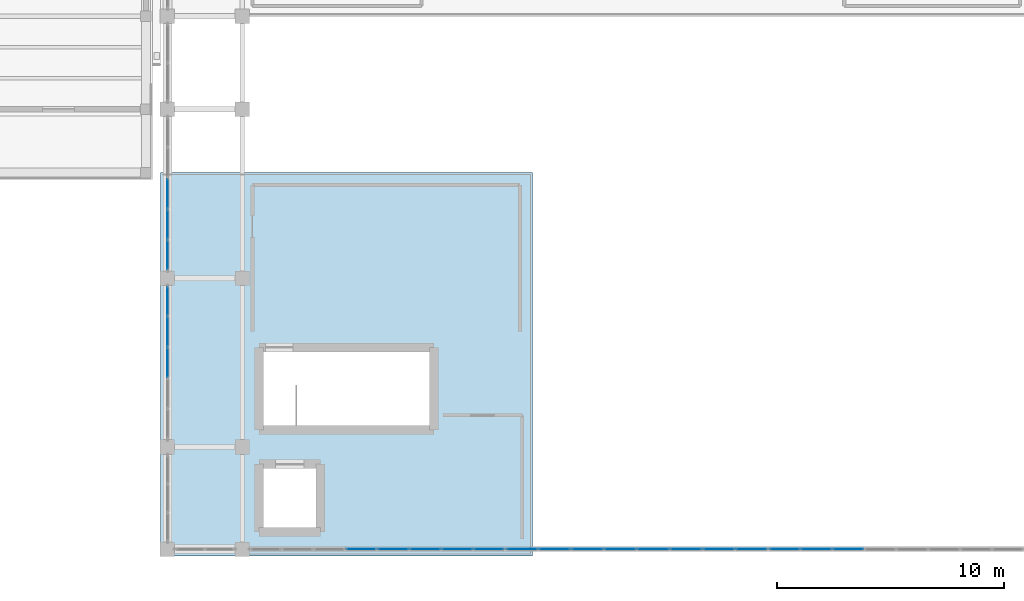
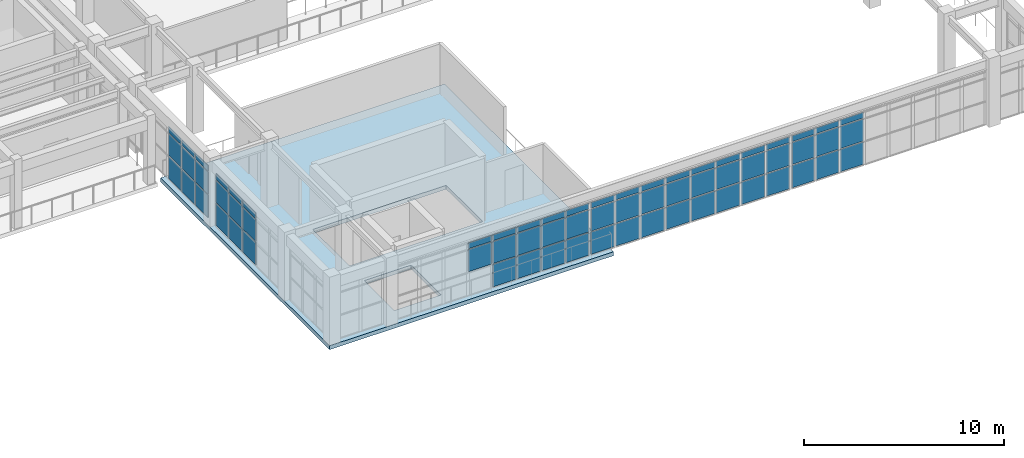
# One storey, part 42 of 66: 65 plates, 1 slab, 5 elements without a shape of their own.
"""IFC4 building model written with IfcOpenShell, lengths in metres."""

from ifc_helpers import new_model, si_unit, direction, frame, origin, origin_2d, place, context, subcontext, project, spatial, polyline, rectangle, outline, extrude, material, layer, layer_set, type_object, element, aggregate, save


model = new_model("IFC4")

# Units and contexts
model_context = context("Model", 3, precision=1e-05, world=origin(), true_north=direction((0.0, 1.0)))
body_context = subcontext(model_context, "Body", "Model", "MODEL_VIEW")
ifc_project = project(units=[si_unit("LENGTHUNIT", "METRE"), si_unit("AREAUNIT", "SQUARE_METRE"), si_unit("VOLUMEUNIT", "CUBIC_METRE"), si_unit("PLANEANGLEUNIT", "RADIAN"), si_unit("MASSUNIT", "GRAM", prefix="KILO")], contexts=[model_context])

# Site, building, storey
site_placement = place(None, origin())
site = spatial("IfcSite", under=ifc_project, at=site_placement, CompositionType="ELEMENT")
building_placement = place(site_placement, origin())
building = spatial("IfcBuilding", under=site, at=building_placement, Name="Candilejo Ridge Gondola Terminal", CompositionType="ELEMENT")
storey_placement = place(building_placement, frame((0.0, 0.0, 14.39990234375)))
storey = spatial("IfcBuildingStorey", under=building, at=storey_placement, Name="L03", CompositionType="ELEMENT", Elevation=14.39990234375)

# Curtain wall, plates
ifc_material_1 = material(Name="Anodised aluminium AA 6063-T6", Category="aluminium")
ifc_layer_1 = layer(ifc_material_1, 0.169921875)
ifc_layer_set_1 = layer_set([ifc_layer_1], Name="ARC-CW-HALL-3800-680X329")
curtain_wall_type_1 = type_object("IfcCurtainWallType", Name="ARC-CW-HALL-3800-680X329", PredefinedType="NOTDEFINED", material=ifc_layer_set_1)
curtain_wall_1_placement = place(storey_placement, origin())
curtain_wall_1 = element("IfcCurtainWall", 1, at=curtain_wall_1_placement, inside=storey, type_object=curtain_wall_type_1, Name="Curtain wall V4 L03-154", PredefinedType="NOTDEFINED")
ifc_material_2 = material(Name="Low-E laminated double glazing 6+12A+6+1.52PVB+6 mm", Category="glass")
ifc_layer_2 = layer(ifc_material_2, 0.028076171875)
ifc_layer_set_2 = layer_set([ifc_layer_2], Name="ARC-CW-GLAZ-PANEL")
plate_type = type_object("IfcPlateType", Name="ARC-CW-GLAZ-PANEL", PredefinedType="CURTAIN_PANEL", material=ifc_layer_set_2)
plate_1_placement = place(storey_placement, frame((133.89990234375, 14.52490234375, 0.06005859375), z_axis=(0.0, 0.0, 1.0), x_axis=(0.0, 1.0, 0.0)))
plate_1 = element("IfcPlate", 2, at=plate_1_placement, type_object=plate_type, Name="CW-68X32 panel 3.1", PredefinedType="CURTAIN_PANEL", context=body_context, shape_type="SweptSolid", body=[
    extrude(rectangle(XDim=1.294921875, YDim=0.028076171875, at=origin_2d()), origin(), (0.0, 0.0, 1.0), 1.360107421875),
])
plate_2_placement = place(storey_placement, frame((133.89990234375, 14.52490234375, 1.47998046875), z_axis=(0.0, 0.0, 1.0), x_axis=(0.0, 1.0, 0.0)))
plate_2 = element("IfcPlate", 3, at=plate_2_placement, type_object=plate_type, Name="CW-68X32 panel 3.2", PredefinedType="CURTAIN_PANEL", context=body_context, shape_type="SweptSolid", body=[
    extrude(rectangle(XDim=1.294921875, YDim=0.028076171875, at=origin_2d()), origin(), (0.0, 0.0, 1.0), 1.340087890625),
])
plate_3_placement = place(storey_placement, frame((133.89990234375, 14.52490234375, 2.880126953125), z_axis=(0.0, 0.0, 1.0), x_axis=(0.0, 1.0, 0.0)))
plate_3 = element("IfcPlate", 4, at=plate_3_placement, type_object=plate_type, Name="CW-68X32 panel 3.3", PredefinedType="CURTAIN_PANEL", context=body_context, shape_type="SweptSolid", body=[
    extrude(rectangle(XDim=1.294921875, YDim=0.028076171875, at=origin_2d()), origin(), (0.0, 0.0, 1.0), 0.35009765625),
])
plate_4_placement = place(storey_placement, frame((133.89990234375, 15.885009765625, 0.06005859375), z_axis=(0.0, 0.0, 1.0), x_axis=(0.0, 1.0, 0.0)))
plate_4 = element("IfcPlate", 5, at=plate_4_placement, type_object=plate_type, Name="CW-68X32 panel 4.1", PredefinedType="CURTAIN_PANEL", context=body_context, shape_type="SweptSolid", body=[
    extrude(rectangle(XDim=1.294921875, YDim=0.028076171875, at=origin_2d()), origin(), (0.0, 0.0, 1.0), 1.360107421875),
])
plate_5_placement = place(storey_placement, frame((133.89990234375, 15.885009765625, 1.47998046875), z_axis=(0.0, 0.0, 1.0), x_axis=(0.0, 1.0, 0.0)))
plate_5 = element("IfcPlate", 6, at=plate_5_placement, type_object=plate_type, Name="CW-68X32 panel 4.2", PredefinedType="CURTAIN_PANEL", context=body_context, shape_type="SweptSolid", body=[
    extrude(rectangle(XDim=1.294921875, YDim=0.028076171875, at=origin_2d()), origin(), (0.0, 0.0, 1.0), 1.340087890625),
])
plate_6_placement = place(storey_placement, frame((133.89990234375, 15.885009765625, 2.880126953125), z_axis=(0.0, 0.0, 1.0), x_axis=(0.0, 1.0, 0.0)))
plate_6 = element("IfcPlate", 7, at=plate_6_placement, type_object=plate_type, Name="CW-68X32 panel 4.3", PredefinedType="CURTAIN_PANEL", context=body_context, shape_type="SweptSolid", body=[
    extrude(rectangle(XDim=1.294921875, YDim=0.028076171875, at=origin_2d()), origin(), (0.0, 0.0, 1.0), 0.35009765625),
])
plate_7_placement = place(storey_placement, frame((133.89990234375, 17.228759765625, 0.06005859375), z_axis=(0.0, 0.0, 1.0), x_axis=(0.0, 1.0, 0.0)))
plate_7 = element("IfcPlate", 8, at=plate_7_placement, type_object=plate_type, Name="CW-68X32 panel 5.1", PredefinedType="CURTAIN_PANEL", context=body_context, shape_type="SweptSolid", body=[
    extrude(rectangle(XDim=1.262451171875, YDim=0.028076171875, at=origin_2d()), origin(), (0.0, 0.0, 1.0), 1.360107421875),
])
plate_8_placement = place(storey_placement, frame((133.89990234375, 17.228759765625, 1.47998046875), z_axis=(0.0, 0.0, 1.0), x_axis=(0.0, 1.0, 0.0)))
plate_8 = element("IfcPlate", 9, at=plate_8_placement, type_object=plate_type, Name="CW-68X32 panel 5.2", PredefinedType="CURTAIN_PANEL", context=body_context, shape_type="SweptSolid", body=[
    extrude(rectangle(XDim=1.262451171875, YDim=0.028076171875, at=origin_2d()), origin(), (0.0, 0.0, 1.0), 1.340087890625),
])
plate_9_placement = place(storey_placement, frame((133.89990234375, 17.228759765625, 2.880126953125), z_axis=(0.0, 0.0, 1.0), x_axis=(0.0, 1.0, 0.0)))
plate_9 = element("IfcPlate", 10, at=plate_9_placement, type_object=plate_type, Name="CW-68X32 panel 5.3", PredefinedType="CURTAIN_PANEL", context=body_context, shape_type="SweptSolid", body=[
    extrude(rectangle(XDim=1.262451171875, YDim=0.028076171875, at=origin_2d()), origin(), (0.0, 0.0, 1.0), 0.35009765625),
])
aggregate(curtain_wall_1, [plate_1, plate_2, plate_3, plate_4, plate_5, plate_6, plate_7, plate_8, plate_9])

curtain_wall_2_placement = place(storey_placement, origin())
curtain_wall_2 = element("IfcCurtainWall", 11, at=curtain_wall_2_placement, inside=storey, type_object=curtain_wall_type_1, Name="Curtain wall V4 L03-155", PredefinedType="NOTDEFINED")
plate_10_placement = place(storey_placement, frame((133.89990234375, 19.271240234375, 0.06005859375), z_axis=(0.0, 0.0, 1.0), x_axis=(0.0, 1.0, 0.0)))
plate_10 = element("IfcPlate", 12, at=plate_10_placement, type_object=plate_type, Name="CW-68X32 panel 1.1", PredefinedType="CURTAIN_PANEL", context=body_context, shape_type="SweptSolid", body=[
    extrude(rectangle(XDim=1.262451171875, YDim=0.028076171875, at=origin_2d()), origin(), (0.0, 0.0, 1.0), 1.360107421875),
])
plate_11_placement = place(storey_placement, frame((133.89990234375, 19.271240234375, 1.47998046875), z_axis=(0.0, 0.0, 1.0), x_axis=(0.0, 1.0, 0.0)))
plate_11 = element("IfcPlate", 13, at=plate_11_placement, type_object=plate_type, Name="CW-68X32 panel 1.2", PredefinedType="CURTAIN_PANEL", context=body_context, shape_type="SweptSolid", body=[
    extrude(rectangle(XDim=1.262451171875, YDim=0.028076171875, at=origin_2d()), origin(), (0.0, 0.0, 1.0), 1.340087890625),
])
plate_12_placement = place(storey_placement, frame((133.89990234375, 19.271240234375, 2.880126953125), z_axis=(0.0, 0.0, 1.0), x_axis=(0.0, 1.0, 0.0)))
plate_12 = element("IfcPlate", 14, at=plate_12_placement, type_object=plate_type, Name="CW-68X32 panel 1.3", PredefinedType="CURTAIN_PANEL", context=body_context, shape_type="SweptSolid", body=[
    extrude(rectangle(XDim=1.262451171875, YDim=0.028076171875, at=origin_2d()), origin(), (0.0, 0.0, 1.0), 0.35009765625),
])
plate_13_placement = place(storey_placement, frame((133.89990234375, 20.614990234375, 0.06005859375), z_axis=(0.0, 0.0, 1.0), x_axis=(0.0, 1.0, 0.0)))
plate_13 = element("IfcPlate", 15, at=plate_13_placement, type_object=plate_type, Name="CW-68X32 panel 2.1", PredefinedType="CURTAIN_PANEL", context=body_context, shape_type="SweptSolid", body=[
    extrude(rectangle(XDim=1.294921875, YDim=0.028076171875, at=origin_2d()), origin(), (0.0, 0.0, 1.0), 1.360107421875),
])
plate_14_placement = place(storey_placement, frame((133.89990234375, 20.614990234375, 1.47998046875), z_axis=(0.0, 0.0, 1.0), x_axis=(0.0, 1.0, 0.0)))
plate_14 = element("IfcPlate", 16, at=plate_14_placement, type_object=plate_type, Name="CW-68X32 panel 2.2", PredefinedType="CURTAIN_PANEL", context=body_context, shape_type="SweptSolid", body=[
    extrude(rectangle(XDim=1.294921875, YDim=0.028076171875, at=origin_2d()), origin(), (0.0, 0.0, 1.0), 1.340087890625),
])
plate_15_placement = place(storey_placement, frame((133.89990234375, 20.614990234375, 2.880126953125), z_axis=(0.0, 0.0, 1.0), x_axis=(0.0, 1.0, 0.0)))
plate_15 = element("IfcPlate", 17, at=plate_15_placement, type_object=plate_type, Name="CW-68X32 panel 2.3", PredefinedType="CURTAIN_PANEL", context=body_context, shape_type="SweptSolid", body=[
    extrude(rectangle(XDim=1.294921875, YDim=0.028076171875, at=origin_2d()), origin(), (0.0, 0.0, 1.0), 0.35009765625),
])
plate_16_placement = place(storey_placement, frame((133.89990234375, 21.97509765625, 0.06005859375), z_axis=(0.0, 0.0, 1.0), x_axis=(0.0, 1.0, 0.0)))
plate_16 = element("IfcPlate", 18, at=plate_16_placement, type_object=plate_type, Name="CW-68X32 panel 3.1", PredefinedType="CURTAIN_PANEL", context=body_context, shape_type="SweptSolid", body=[
    extrude(rectangle(XDim=1.294921875, YDim=0.028076171875, at=origin_2d()), origin(), (0.0, 0.0, 1.0), 1.360107421875),
])
plate_17_placement = place(storey_placement, frame((133.89990234375, 21.97509765625, 1.47998046875), z_axis=(0.0, 0.0, 1.0), x_axis=(0.0, 1.0, 0.0)))
plate_17 = element("IfcPlate", 19, at=plate_17_placement, type_object=plate_type, Name="CW-68X32 panel 3.2", PredefinedType="CURTAIN_PANEL", context=body_context, shape_type="SweptSolid", body=[
    extrude(rectangle(XDim=1.294921875, YDim=0.028076171875, at=origin_2d()), origin(), (0.0, 0.0, 1.0), 1.340087890625),
])
plate_18_placement = place(storey_placement, frame((133.89990234375, 21.97509765625, 2.880126953125), z_axis=(0.0, 0.0, 1.0), x_axis=(0.0, 1.0, 0.0)))
plate_18 = element("IfcPlate", 20, at=plate_18_placement, type_object=plate_type, Name="CW-68X32 panel 3.3", PredefinedType="CURTAIN_PANEL", context=body_context, shape_type="SweptSolid", body=[
    extrude(rectangle(XDim=1.294921875, YDim=0.028076171875, at=origin_2d()), origin(), (0.0, 0.0, 1.0), 0.35009765625),
])
aggregate(curtain_wall_2, [plate_10, plate_11, plate_12, plate_13, plate_14, plate_15, plate_16, plate_17, plate_18])

ifc_material_3 = material(Name="Anodised aluminium AA 6063-T6", Category="aluminium")
ifc_layer_3 = layer(ifc_material_3, 0.169921875)
ifc_layer_set_3 = layer_set([ifc_layer_3], Name="ARC-CW-HALL-3800-1128X329")
curtain_wall_type_2 = type_object("IfcCurtainWallType", Name="ARC-CW-HALL-3800-1128X329", PredefinedType="NOTDEFINED", material=ifc_layer_set_3)
curtain_wall_3_placement = place(storey_placement, origin())
curtain_wall_3 = element("IfcCurtainWall", 21, at=curtain_wall_3_placement, inside=storey, type_object=curtain_wall_type_2, Name="Curtain wall V4 L03-166", PredefinedType="NOTDEFINED")
plate_19_placement = place(storey_placement, frame((142.457763671875, 6.300048828125, 1.47998046875), z_axis=(0.0, 0.0, 1.0), x_axis=(1.0, 0.0, 0.0)))
plate_19 = element("IfcPlate", 22, at=plate_19_placement, type_object=plate_type, Name="CW-112X32 panel 4.2", PredefinedType="CURTAIN_PANEL", context=body_context, shape_type="SweptSolid", body=[
    extrude(rectangle(XDim=1.344482421875, YDim=0.028076171875, at=origin_2d()), origin(), (0.0, 0.0, 1.0), 1.340087890625),
])
plate_20_placement = place(storey_placement, frame((142.457763671875, 6.300048828125, 2.880126953125), z_axis=(0.0, 0.0, 1.0), x_axis=(1.0, 0.0, 0.0)))
plate_20 = element("IfcPlate", 23, at=plate_20_placement, type_object=plate_type, Name="CW-112X32 panel 4.3", PredefinedType="CURTAIN_PANEL", context=body_context, shape_type="SweptSolid", body=[
    extrude(rectangle(XDim=1.344482421875, YDim=0.028076171875, at=origin_2d()), origin(), (0.0, 0.0, 1.0), 0.35009765625),
])
plate_21_placement = place(storey_placement, frame((143.8671875, 6.300048828125, 0.06005859375), z_axis=(0.0, 0.0, 1.0), x_axis=(1.0, 0.0, 0.0)))
plate_21 = element("IfcPlate", 24, at=plate_21_placement, type_object=plate_type, Name="CW-112X32 panel 5.1", PredefinedType="CURTAIN_PANEL", context=body_context, shape_type="SweptSolid", body=[
    extrude(rectangle(XDim=1.344482421875, YDim=0.028076171875, at=origin_2d()), origin(), (0.0, 0.0, 1.0), 1.360107421875),
])
plate_22_placement = place(storey_placement, frame((143.8671875, 6.300048828125, 1.47998046875), z_axis=(0.0, 0.0, 1.0), x_axis=(1.0, 0.0, 0.0)))
plate_22 = element("IfcPlate", 25, at=plate_22_placement, type_object=plate_type, Name="CW-112X32 panel 5.2", PredefinedType="CURTAIN_PANEL", context=body_context, shape_type="SweptSolid", body=[
    extrude(rectangle(XDim=1.344482421875, YDim=0.028076171875, at=origin_2d()), origin(), (0.0, 0.0, 1.0), 1.340087890625),
])
plate_23_placement = place(storey_placement, frame((143.8671875, 6.300048828125, 2.880126953125), z_axis=(0.0, 0.0, 1.0), x_axis=(1.0, 0.0, 0.0)))
plate_23 = element("IfcPlate", 26, at=plate_23_placement, type_object=plate_type, Name="CW-112X32 panel 5.3", PredefinedType="CURTAIN_PANEL", context=body_context, shape_type="SweptSolid", body=[
    extrude(rectangle(XDim=1.344482421875, YDim=0.028076171875, at=origin_2d()), origin(), (0.0, 0.0, 1.0), 0.35009765625),
])
plate_24_placement = place(storey_placement, frame((145.276611328125, 6.300048828125, 0.06005859375), z_axis=(0.0, 0.0, 1.0), x_axis=(1.0, 0.0, 0.0)))
plate_24 = element("IfcPlate", 27, at=plate_24_placement, type_object=plate_type, Name="CW-112X32 panel 6.1", PredefinedType="CURTAIN_PANEL", context=body_context, shape_type="SweptSolid", body=[
    extrude(rectangle(XDim=1.344482421875, YDim=0.028076171875, at=origin_2d()), origin(), (0.0, 0.0, 1.0), 1.360107421875),
])
plate_25_placement = place(storey_placement, frame((145.276611328125, 6.300048828125, 1.47998046875), z_axis=(0.0, 0.0, 1.0), x_axis=(1.0, 0.0, 0.0)))
plate_25 = element("IfcPlate", 28, at=plate_25_placement, type_object=plate_type, Name="CW-112X32 panel 6.2", PredefinedType="CURTAIN_PANEL", context=body_context, shape_type="SweptSolid", body=[
    extrude(rectangle(XDim=1.344482421875, YDim=0.028076171875, at=origin_2d()), origin(), (0.0, 0.0, 1.0), 1.340087890625),
])
plate_26_placement = place(storey_placement, frame((145.276611328125, 6.300048828125, 2.880126953125), z_axis=(0.0, 0.0, 1.0), x_axis=(1.0, 0.0, 0.0)))
plate_26 = element("IfcPlate", 29, at=plate_26_placement, type_object=plate_type, Name="CW-112X32 panel 6.3", PredefinedType="CURTAIN_PANEL", context=body_context, shape_type="SweptSolid", body=[
    extrude(rectangle(XDim=1.344482421875, YDim=0.028076171875, at=origin_2d()), origin(), (0.0, 0.0, 1.0), 0.35009765625),
])
plate_27_placement = place(storey_placement, frame((146.68603515625, 6.300048828125, 0.06005859375), z_axis=(0.0, 0.0, 1.0), x_axis=(1.0, 0.0, 0.0)))
plate_27 = element("IfcPlate", 30, at=plate_27_placement, type_object=plate_type, Name="CW-112X32 panel 7.1", PredefinedType="CURTAIN_PANEL", context=body_context, shape_type="SweptSolid", body=[
    extrude(rectangle(XDim=1.344482421875, YDim=0.028076171875, at=origin_2d()), origin(), (0.0, 0.0, 1.0), 1.360107421875),
])
plate_28_placement = place(storey_placement, frame((146.68603515625, 6.300048828125, 1.47998046875), z_axis=(0.0, 0.0, 1.0), x_axis=(1.0, 0.0, 0.0)))
plate_28 = element("IfcPlate", 31, at=plate_28_placement, type_object=plate_type, Name="CW-112X32 panel 7.2", PredefinedType="CURTAIN_PANEL", context=body_context, shape_type="SweptSolid", body=[
    extrude(rectangle(XDim=1.344482421875, YDim=0.028076171875, at=origin_2d()), origin(), (0.0, 0.0, 1.0), 1.340087890625),
])
plate_29_placement = place(storey_placement, frame((146.68603515625, 6.300048828125, 2.880126953125), z_axis=(0.0, 0.0, 1.0), x_axis=(1.0, 0.0, 0.0)))
plate_29 = element("IfcPlate", 32, at=plate_29_placement, type_object=plate_type, Name="CW-112X32 panel 7.3", PredefinedType="CURTAIN_PANEL", context=body_context, shape_type="SweptSolid", body=[
    extrude(rectangle(XDim=1.344482421875, YDim=0.028076171875, at=origin_2d()), origin(), (0.0, 0.0, 1.0), 0.35009765625),
])
plate_30_placement = place(storey_placement, frame((148.0791015625, 6.300048828125, 0.06005859375), z_axis=(0.0, 0.0, 1.0), x_axis=(1.0, 0.0, 0.0)))
plate_30 = element("IfcPlate", 33, at=plate_30_placement, type_object=plate_type, Name="CW-112X32 panel 8.1", PredefinedType="CURTAIN_PANEL", context=body_context, shape_type="SweptSolid", body=[
    extrude(rectangle(XDim=1.311767578125, YDim=0.028076171875, at=origin_2d()), origin(), (0.0, 0.0, 1.0), 1.360107421875),
])
plate_31_placement = place(storey_placement, frame((148.0791015625, 6.300048828125, 1.47998046875), z_axis=(0.0, 0.0, 1.0), x_axis=(1.0, 0.0, 0.0)))
plate_31 = element("IfcPlate", 34, at=plate_31_placement, type_object=plate_type, Name="CW-112X32 panel 8.2", PredefinedType="CURTAIN_PANEL", context=body_context, shape_type="SweptSolid", body=[
    extrude(rectangle(XDim=1.311767578125, YDim=0.028076171875, at=origin_2d()), origin(), (0.0, 0.0, 1.0), 1.340087890625),
])
plate_32_placement = place(storey_placement, frame((148.0791015625, 6.300048828125, 2.880126953125), z_axis=(0.0, 0.0, 1.0), x_axis=(1.0, 0.0, 0.0)))
plate_32 = element("IfcPlate", 35, at=plate_32_placement, type_object=plate_type, Name="CW-112X32 panel 8.3", PredefinedType="CURTAIN_PANEL", context=body_context, shape_type="SweptSolid", body=[
    extrude(rectangle(XDim=1.311767578125, YDim=0.028076171875, at=origin_2d()), origin(), (0.0, 0.0, 1.0), 0.35009765625),
])
aggregate(curtain_wall_3, [plate_19, plate_20, plate_21, plate_22, plate_23, plate_24, plate_25, plate_26, plate_27, plate_28, plate_29, plate_30, plate_31, plate_32])

ifc_material_4 = material(Name="Anodised aluminium AA 6063-T6", Category="aluminium")
ifc_layer_4 = layer(ifc_material_4, 0.169921875)
ifc_layer_set_4 = layer_set([ifc_layer_4], Name="ARC-CW-HALL-3800-1160X329")
curtain_wall_type_3 = type_object("IfcCurtainWallType", Name="ARC-CW-HALL-3800-1160X329", PredefinedType="NOTDEFINED", material=ifc_layer_set_4)
curtain_wall_4_placement = place(storey_placement, origin())
curtain_wall_4 = element("IfcCurtainWall", 36, at=curtain_wall_4_placement, inside=storey, type_object=curtain_wall_type_3, Name="Curtain wall V4 L03-167", PredefinedType="NOTDEFINED")
plate_33_placement = place(storey_placement, frame((149.541259765625, 6.300048828125, 0.06005859375), z_axis=(0.0, 0.0, 1.0), x_axis=(1.0, 0.0, 0.0)))
plate_33 = element("IfcPlate", 37, at=plate_33_placement, type_object=plate_type, Name="CW-116X32 panel 1.1", PredefinedType="CURTAIN_PANEL", context=body_context, shape_type="SweptSolid", body=[
    extrude(rectangle(XDim=1.3525390625, YDim=0.028076171875, at=origin_2d()), origin(), (0.0, 0.0, 1.0), 1.360107421875),
])
plate_34_placement = place(storey_placement, frame((149.541259765625, 6.300048828125, 1.47998046875), z_axis=(0.0, 0.0, 1.0), x_axis=(1.0, 0.0, 0.0)))
plate_34 = element("IfcPlate", 38, at=plate_34_placement, type_object=plate_type, Name="CW-116X32 panel 1.2", PredefinedType="CURTAIN_PANEL", context=body_context, shape_type="SweptSolid", body=[
    extrude(rectangle(XDim=1.3525390625, YDim=0.028076171875, at=origin_2d()), origin(), (0.0, 0.0, 1.0), 1.340087890625),
])
plate_35_placement = place(storey_placement, frame((149.541259765625, 6.300048828125, 2.880126953125), z_axis=(0.0, 0.0, 1.0), x_axis=(1.0, 0.0, 0.0)))
plate_35 = element("IfcPlate", 39, at=plate_35_placement, type_object=plate_type, Name="CW-116X32 panel 1.3", PredefinedType="CURTAIN_PANEL", context=body_context, shape_type="SweptSolid", body=[
    extrude(rectangle(XDim=1.3525390625, YDim=0.028076171875, at=origin_2d()), origin(), (0.0, 0.0, 1.0), 0.35009765625),
])
plate_36_placement = place(storey_placement, frame((150.97509765625, 6.300048828125, 0.06005859375), z_axis=(0.0, 0.0, 1.0), x_axis=(1.0, 0.0, 0.0)))
plate_36 = element("IfcPlate", 40, at=plate_36_placement, type_object=plate_type, Name="CW-116X32 panel 2.1", PredefinedType="CURTAIN_PANEL", context=body_context, shape_type="SweptSolid", body=[
    extrude(rectangle(XDim=1.385009765625, YDim=0.028076171875, at=origin_2d()), origin(), (0.0, 0.0, 1.0), 1.360107421875),
])
plate_37_placement = place(storey_placement, frame((150.97509765625, 6.300048828125, 1.47998046875), z_axis=(0.0, 0.0, 1.0), x_axis=(1.0, 0.0, 0.0)))
plate_37 = element("IfcPlate", 41, at=plate_37_placement, type_object=plate_type, Name="CW-116X32 panel 2.2", PredefinedType="CURTAIN_PANEL", context=body_context, shape_type="SweptSolid", body=[
    extrude(rectangle(XDim=1.385009765625, YDim=0.028076171875, at=origin_2d()), origin(), (0.0, 0.0, 1.0), 1.340087890625),
])
plate_38_placement = place(storey_placement, frame((150.97509765625, 6.300048828125, 2.880126953125), z_axis=(0.0, 0.0, 1.0), x_axis=(1.0, 0.0, 0.0)))
plate_38 = element("IfcPlate", 42, at=plate_38_placement, type_object=plate_type, Name="CW-116X32 panel 2.3", PredefinedType="CURTAIN_PANEL", context=body_context, shape_type="SweptSolid", body=[
    extrude(rectangle(XDim=1.385009765625, YDim=0.028076171875, at=origin_2d()), origin(), (0.0, 0.0, 1.0), 0.35009765625),
])
plate_39_placement = place(storey_placement, frame((152.425048828125, 6.300048828125, 0.06005859375), z_axis=(0.0, 0.0, 1.0), x_axis=(1.0, 0.0, 0.0)))
plate_39 = element("IfcPlate", 43, at=plate_39_placement, type_object=plate_type, Name="CW-116X32 panel 3.1", PredefinedType="CURTAIN_PANEL", context=body_context, shape_type="SweptSolid", body=[
    extrude(rectangle(XDim=1.385009765625, YDim=0.028076171875, at=origin_2d()), origin(), (0.0, 0.0, 1.0), 1.360107421875),
])
plate_40_placement = place(storey_placement, frame((152.425048828125, 6.300048828125, 1.47998046875), z_axis=(0.0, 0.0, 1.0), x_axis=(1.0, 0.0, 0.0)))
plate_40 = element("IfcPlate", 44, at=plate_40_placement, type_object=plate_type, Name="CW-116X32 panel 3.2", PredefinedType="CURTAIN_PANEL", context=body_context, shape_type="SweptSolid", body=[
    extrude(rectangle(XDim=1.385009765625, YDim=0.028076171875, at=origin_2d()), origin(), (0.0, 0.0, 1.0), 1.340087890625),
])
plate_41_placement = place(storey_placement, frame((152.425048828125, 6.300048828125, 2.880126953125), z_axis=(0.0, 0.0, 1.0), x_axis=(1.0, 0.0, 0.0)))
plate_41 = element("IfcPlate", 45, at=plate_41_placement, type_object=plate_type, Name="CW-116X32 panel 3.3", PredefinedType="CURTAIN_PANEL", context=body_context, shape_type="SweptSolid", body=[
    extrude(rectangle(XDim=1.385009765625, YDim=0.028076171875, at=origin_2d()), origin(), (0.0, 0.0, 1.0), 0.35009765625),
])
plate_42_placement = place(storey_placement, frame((153.875, 6.300048828125, 0.06005859375), z_axis=(0.0, 0.0, 1.0), x_axis=(1.0, 0.0, 0.0)))
plate_42 = element("IfcPlate", 46, at=plate_42_placement, type_object=plate_type, Name="CW-116X32 panel 4.1", PredefinedType="CURTAIN_PANEL", context=body_context, shape_type="SweptSolid", body=[
    extrude(rectangle(XDim=1.385009765625, YDim=0.028076171875, at=origin_2d()), origin(), (0.0, 0.0, 1.0), 1.360107421875),
])
plate_43_placement = place(storey_placement, frame((153.875, 6.300048828125, 1.47998046875), z_axis=(0.0, 0.0, 1.0), x_axis=(1.0, 0.0, 0.0)))
plate_43 = element("IfcPlate", 47, at=plate_43_placement, type_object=plate_type, Name="CW-116X32 panel 4.2", PredefinedType="CURTAIN_PANEL", context=body_context, shape_type="SweptSolid", body=[
    extrude(rectangle(XDim=1.385009765625, YDim=0.028076171875, at=origin_2d()), origin(), (0.0, 0.0, 1.0), 1.340087890625),
])
plate_44_placement = place(storey_placement, frame((153.875, 6.300048828125, 2.880126953125), z_axis=(0.0, 0.0, 1.0), x_axis=(1.0, 0.0, 0.0)))
plate_44 = element("IfcPlate", 48, at=plate_44_placement, type_object=plate_type, Name="CW-116X32 panel 4.3", PredefinedType="CURTAIN_PANEL", context=body_context, shape_type="SweptSolid", body=[
    extrude(rectangle(XDim=1.385009765625, YDim=0.028076171875, at=origin_2d()), origin(), (0.0, 0.0, 1.0), 0.35009765625),
])
plate_45_placement = place(storey_placement, frame((155.324951171875, 6.300048828125, 0.06005859375), z_axis=(0.0, 0.0, 1.0), x_axis=(1.0, 0.0, 0.0)))
plate_45 = element("IfcPlate", 49, at=plate_45_placement, type_object=plate_type, Name="CW-116X32 panel 5.1", PredefinedType="CURTAIN_PANEL", context=body_context, shape_type="SweptSolid", body=[
    extrude(rectangle(XDim=1.385009765625, YDim=0.028076171875, at=origin_2d()), origin(), (0.0, 0.0, 1.0), 1.360107421875),
])
plate_46_placement = place(storey_placement, frame((155.324951171875, 6.300048828125, 1.47998046875), z_axis=(0.0, 0.0, 1.0), x_axis=(1.0, 0.0, 0.0)))
plate_46 = element("IfcPlate", 50, at=plate_46_placement, type_object=plate_type, Name="CW-116X32 panel 5.2", PredefinedType="CURTAIN_PANEL", context=body_context, shape_type="SweptSolid", body=[
    extrude(rectangle(XDim=1.385009765625, YDim=0.028076171875, at=origin_2d()), origin(), (0.0, 0.0, 1.0), 1.340087890625),
])
plate_47_placement = place(storey_placement, frame((155.324951171875, 6.300048828125, 2.880126953125), z_axis=(0.0, 0.0, 1.0), x_axis=(1.0, 0.0, 0.0)))
plate_47 = element("IfcPlate", 51, at=plate_47_placement, type_object=plate_type, Name="CW-116X32 panel 5.3", PredefinedType="CURTAIN_PANEL", context=body_context, shape_type="SweptSolid", body=[
    extrude(rectangle(XDim=1.385009765625, YDim=0.028076171875, at=origin_2d()), origin(), (0.0, 0.0, 1.0), 0.35009765625),
])
plate_48_placement = place(storey_placement, frame((156.77490234375, 6.300048828125, 0.06005859375), z_axis=(0.0, 0.0, 1.0), x_axis=(1.0, 0.0, 0.0)))
plate_48 = element("IfcPlate", 52, at=plate_48_placement, type_object=plate_type, Name="CW-116X32 panel 6.1", PredefinedType="CURTAIN_PANEL", context=body_context, shape_type="SweptSolid", body=[
    extrude(rectangle(XDim=1.385009765625, YDim=0.028076171875, at=origin_2d()), origin(), (0.0, 0.0, 1.0), 1.360107421875),
])
plate_49_placement = place(storey_placement, frame((156.77490234375, 6.300048828125, 1.47998046875), z_axis=(0.0, 0.0, 1.0), x_axis=(1.0, 0.0, 0.0)))
plate_49 = element("IfcPlate", 53, at=plate_49_placement, type_object=plate_type, Name="CW-116X32 panel 6.2", PredefinedType="CURTAIN_PANEL", context=body_context, shape_type="SweptSolid", body=[
    extrude(rectangle(XDim=1.385009765625, YDim=0.028076171875, at=origin_2d()), origin(), (0.0, 0.0, 1.0), 1.340087890625),
])
plate_50_placement = place(storey_placement, frame((156.77490234375, 6.300048828125, 2.880126953125), z_axis=(0.0, 0.0, 1.0), x_axis=(1.0, 0.0, 0.0)))
plate_50 = element("IfcPlate", 54, at=plate_50_placement, type_object=plate_type, Name="CW-116X32 panel 6.3", PredefinedType="CURTAIN_PANEL", context=body_context, shape_type="SweptSolid", body=[
    extrude(rectangle(XDim=1.385009765625, YDim=0.028076171875, at=origin_2d()), origin(), (0.0, 0.0, 1.0), 0.35009765625),
])
plate_51_placement = place(storey_placement, frame((158.22509765625, 6.300048828125, 0.06005859375), z_axis=(0.0, 0.0, 1.0), x_axis=(1.0, 0.0, 0.0)))
plate_51 = element("IfcPlate", 55, at=plate_51_placement, type_object=plate_type, Name="CW-116X32 panel 7.1", PredefinedType="CURTAIN_PANEL", context=body_context, shape_type="SweptSolid", body=[
    extrude(rectangle(XDim=1.385009765625, YDim=0.028076171875, at=origin_2d()), origin(), (0.0, 0.0, 1.0), 1.360107421875),
])
plate_52_placement = place(storey_placement, frame((158.22509765625, 6.300048828125, 1.47998046875), z_axis=(0.0, 0.0, 1.0), x_axis=(1.0, 0.0, 0.0)))
plate_52 = element("IfcPlate", 56, at=plate_52_placement, type_object=plate_type, Name="CW-116X32 panel 7.2", PredefinedType="CURTAIN_PANEL", context=body_context, shape_type="SweptSolid", body=[
    extrude(rectangle(XDim=1.385009765625, YDim=0.028076171875, at=origin_2d()), origin(), (0.0, 0.0, 1.0), 1.340087890625),
])
plate_53_placement = place(storey_placement, frame((158.22509765625, 6.300048828125, 2.880126953125), z_axis=(0.0, 0.0, 1.0), x_axis=(1.0, 0.0, 0.0)))
plate_53 = element("IfcPlate", 57, at=plate_53_placement, type_object=plate_type, Name="CW-116X32 panel 7.3", PredefinedType="CURTAIN_PANEL", context=body_context, shape_type="SweptSolid", body=[
    extrude(rectangle(XDim=1.385009765625, YDim=0.028076171875, at=origin_2d()), origin(), (0.0, 0.0, 1.0), 0.35009765625),
])
plate_54_placement = place(storey_placement, frame((159.65869140625, 6.300048828125, 0.06005859375), z_axis=(0.0, 0.0, 1.0), x_axis=(1.0, 0.0, 0.0)))
plate_54 = element("IfcPlate", 58, at=plate_54_placement, type_object=plate_type, Name="CW-116X32 panel 8.1", PredefinedType="CURTAIN_PANEL", context=body_context, shape_type="SweptSolid", body=[
    extrude(rectangle(XDim=1.3525390625, YDim=0.028076171875, at=origin_2d()), origin(), (0.0, 0.0, 1.0), 1.360107421875),
])
plate_55_placement = place(storey_placement, frame((159.65869140625, 6.300048828125, 1.47998046875), z_axis=(0.0, 0.0, 1.0), x_axis=(1.0, 0.0, 0.0)))
plate_55 = element("IfcPlate", 59, at=plate_55_placement, type_object=plate_type, Name="CW-116X32 panel 8.2", PredefinedType="CURTAIN_PANEL", context=body_context, shape_type="SweptSolid", body=[
    extrude(rectangle(XDim=1.3525390625, YDim=0.028076171875, at=origin_2d()), origin(), (0.0, 0.0, 1.0), 1.340087890625),
])
plate_56_placement = place(storey_placement, frame((159.65869140625, 6.300048828125, 2.880126953125), z_axis=(0.0, 0.0, 1.0), x_axis=(1.0, 0.0, 0.0)))
plate_56 = element("IfcPlate", 60, at=plate_56_placement, type_object=plate_type, Name="CW-116X32 panel 8.3", PredefinedType="CURTAIN_PANEL", context=body_context, shape_type="SweptSolid", body=[
    extrude(rectangle(XDim=1.3525390625, YDim=0.028076171875, at=origin_2d()), origin(), (0.0, 0.0, 1.0), 0.35009765625),
])
aggregate(curtain_wall_4, [plate_33, plate_34, plate_35, plate_36, plate_37, plate_38, plate_39, plate_40, plate_41, plate_42, plate_43, plate_44, plate_45, plate_46, plate_47, plate_48, plate_49, plate_50, plate_51, plate_52, plate_53, plate_54, plate_55, plate_56])

curtain_wall_5_placement = place(storey_placement, origin())
curtain_wall_5 = element("IfcCurtainWall", 61, at=curtain_wall_5_placement, inside=storey, type_object=curtain_wall_type_2, Name="Curtain wall V4 L03-168", PredefinedType="NOTDEFINED")
plate_57_placement = place(storey_placement, frame((161.120849609375, 6.300048828125, 0.06005859375), z_axis=(0.0, 0.0, 1.0), x_axis=(1.0, 0.0, 0.0)))
plate_57 = element("IfcPlate", 62, at=plate_57_placement, type_object=plate_type, Name="CW-112X32 panel 1.1", PredefinedType="CURTAIN_PANEL", context=body_context, shape_type="SweptSolid", body=[
    extrude(rectangle(XDim=1.311767578125, YDim=0.028076171875, at=origin_2d()), origin(), (0.0, 0.0, 1.0), 1.360107421875),
])
plate_58_placement = place(storey_placement, frame((161.120849609375, 6.300048828125, 1.47998046875), z_axis=(0.0, 0.0, 1.0), x_axis=(1.0, 0.0, 0.0)))
plate_58 = element("IfcPlate", 63, at=plate_58_placement, type_object=plate_type, Name="CW-112X32 panel 1.2", PredefinedType="CURTAIN_PANEL", context=body_context, shape_type="SweptSolid", body=[
    extrude(rectangle(XDim=1.311767578125, YDim=0.028076171875, at=origin_2d()), origin(), (0.0, 0.0, 1.0), 1.340087890625),
])
plate_59_placement = place(storey_placement, frame((161.120849609375, 6.300048828125, 2.880126953125), z_axis=(0.0, 0.0, 1.0), x_axis=(1.0, 0.0, 0.0)))
plate_59 = element("IfcPlate", 64, at=plate_59_placement, type_object=plate_type, Name="CW-112X32 panel 1.3", PredefinedType="CURTAIN_PANEL", context=body_context, shape_type="SweptSolid", body=[
    extrude(rectangle(XDim=1.311767578125, YDim=0.028076171875, at=origin_2d()), origin(), (0.0, 0.0, 1.0), 0.35009765625),
])
plate_60_placement = place(storey_placement, frame((162.51416015625, 6.300048828125, 0.06005859375), z_axis=(0.0, 0.0, 1.0), x_axis=(1.0, 0.0, 0.0)))
plate_60 = element("IfcPlate", 65, at=plate_60_placement, type_object=plate_type, Name="CW-112X32 panel 2.1", PredefinedType="CURTAIN_PANEL", context=body_context, shape_type="SweptSolid", body=[
    extrude(rectangle(XDim=1.344482421875, YDim=0.028076171875, at=origin_2d()), origin(), (0.0, 0.0, 1.0), 1.360107421875),
])
plate_61_placement = place(storey_placement, frame((162.51416015625, 6.300048828125, 1.47998046875), z_axis=(0.0, 0.0, 1.0), x_axis=(1.0, 0.0, 0.0)))
plate_61 = element("IfcPlate", 66, at=plate_61_placement, type_object=plate_type, Name="CW-112X32 panel 2.2", PredefinedType="CURTAIN_PANEL", context=body_context, shape_type="SweptSolid", body=[
    extrude(rectangle(XDim=1.344482421875, YDim=0.028076171875, at=origin_2d()), origin(), (0.0, 0.0, 1.0), 1.340087890625),
])
plate_62_placement = place(storey_placement, frame((162.51416015625, 6.300048828125, 2.880126953125), z_axis=(0.0, 0.0, 1.0), x_axis=(1.0, 0.0, 0.0)))
plate_62 = element("IfcPlate", 67, at=plate_62_placement, type_object=plate_type, Name="CW-112X32 panel 2.3", PredefinedType="CURTAIN_PANEL", context=body_context, shape_type="SweptSolid", body=[
    extrude(rectangle(XDim=1.344482421875, YDim=0.028076171875, at=origin_2d()), origin(), (0.0, 0.0, 1.0), 0.35009765625),
])
plate_63_placement = place(storey_placement, frame((163.92333984375, 6.300048828125, 0.06005859375), z_axis=(0.0, 0.0, 1.0), x_axis=(1.0, 0.0, 0.0)))
plate_63 = element("IfcPlate", 68, at=plate_63_placement, type_object=plate_type, Name="CW-112X32 panel 3.1", PredefinedType="CURTAIN_PANEL", context=body_context, shape_type="SweptSolid", body=[
    extrude(rectangle(XDim=1.344482421875, YDim=0.028076171875, at=origin_2d()), origin(), (0.0, 0.0, 1.0), 1.360107421875),
])
plate_64_placement = place(storey_placement, frame((163.92333984375, 6.300048828125, 1.47998046875), z_axis=(0.0, 0.0, 1.0), x_axis=(1.0, 0.0, 0.0)))
plate_64 = element("IfcPlate", 69, at=plate_64_placement, type_object=plate_type, Name="CW-112X32 panel 3.2", PredefinedType="CURTAIN_PANEL", context=body_context, shape_type="SweptSolid", body=[
    extrude(rectangle(XDim=1.344482421875, YDim=0.028076171875, at=origin_2d()), origin(), (0.0, 0.0, 1.0), 1.340087890625),
])
plate_65_placement = place(storey_placement, frame((163.92333984375, 6.300048828125, 2.880126953125), z_axis=(0.0, 0.0, 1.0), x_axis=(1.0, 0.0, 0.0)))
plate_65 = element("IfcPlate", 70, at=plate_65_placement, type_object=plate_type, Name="CW-112X32 panel 3.3", PredefinedType="CURTAIN_PANEL", context=body_context, shape_type="SweptSolid", body=[
    extrude(rectangle(XDim=1.344482421875, YDim=0.028076171875, at=origin_2d()), origin(), (0.0, 0.0, 1.0), 0.35009765625),
])
aggregate(curtain_wall_5, [plate_57, plate_58, plate_59, plate_60, plate_61, plate_62, plate_63, plate_64, plate_65])

# Slab
ifc_material_5 = material(Name="Concrete f'c 35 MPa (C35/45)", Category="concrete")
ifc_layer_5 = layer(ifc_material_5, 0.239990234375)
ifc_layer_set_5 = layer_set([ifc_layer_5], Name="STR-FLOOR-SLAB-240")
slab_type = type_object("IfcSlabType", Name="STR-FLOOR-SLAB-240", PredefinedType="FLOOR", material=ifc_layer_set_5)
slab_placement = place(storey_placement, frame((0.0, 0.0, -0.239990234375)))
element("IfcSlab", 71, at=slab_placement, inside=storey, type_object=slab_type, Name="Slab SLB-V4-L03-CTL", PredefinedType="FLOOR", context=body_context, shape_type="SweptSolid", body=[
    extrude(outline(polyline([(133.60009765625, 6.0), (150.0, 6.0), (150.0, 22.89990234375), (133.60009765625, 22.89990234375), (133.60009765625, 6.0)]), holes=[polyline([(137.949951171875, 11.550048828125), (145.64990234375, 11.550048828125), (145.64990234375, 15.199951171875), (137.949951171875, 15.199951171875), (137.949951171875, 11.550048828125)]), polyline([(137.949951171875, 7.050048828125), (140.64990234375, 7.050048828125), (140.64990234375, 10.050048828125), (137.949951171875, 10.050048828125), (137.949951171875, 7.050048828125)])]), origin(), (0.0, 0.0, 1.0), 0.239990234375),
])

save(model, "model.ifc")
